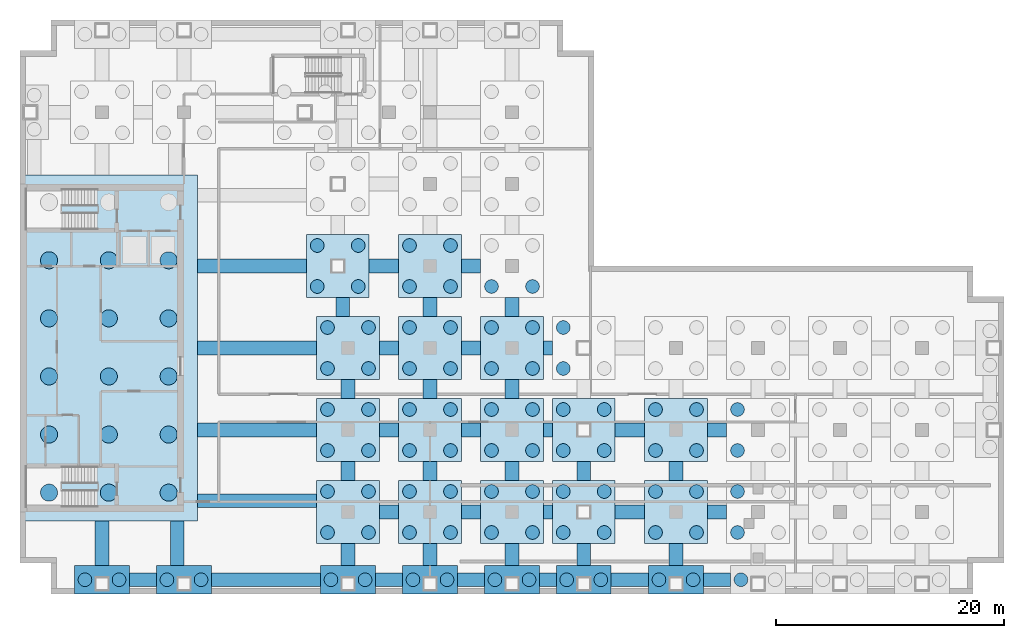
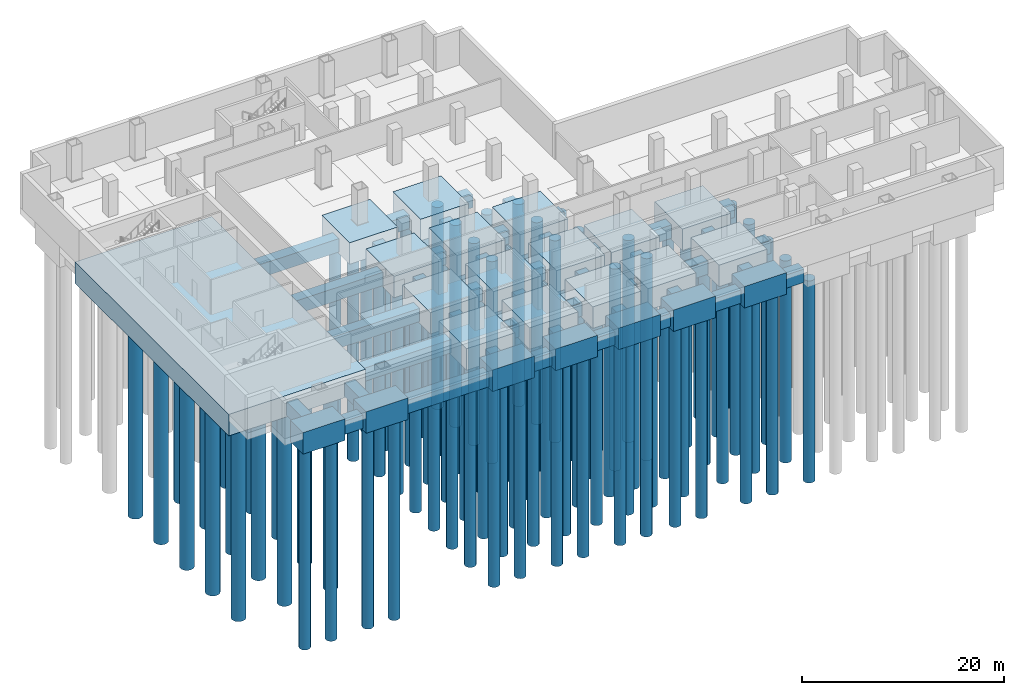
# One storey, part 1 of 11: 98 piles, 67 footings.
"""IFC4 building model written with IfcOpenShell, lengths in metres."""

from ifc_helpers import new_model, si_unit, direction, frame, origin, origin_2d, place, context, subcontext, project, spatial, rectangle, circle, extrude, material, material_profile, profile_set, type_object, element, save


model = new_model("IFC4")

# Units and contexts
model_context = context("Model", 3, precision=1e-05, world=origin(), true_north=direction((0.0, 1.0)))
body_context = subcontext(model_context, "Body", "Model", "MODEL_VIEW")
ifc_project = project(units=[si_unit("LENGTHUNIT", "METRE"), si_unit("AREAUNIT", "SQUARE_METRE"), si_unit("VOLUMEUNIT", "CUBIC_METRE"), si_unit("PLANEANGLEUNIT", "RADIAN"), si_unit("MASSUNIT", "GRAM", prefix="KILO")], contexts=[model_context])

# Site, building, storey
site_placement = place(None, origin())
site = spatial("IfcSite", under=ifc_project, at=site_placement, CompositionType="ELEMENT")
building_placement = place(site_placement, origin())
building = spatial("IfcBuilding", under=site, at=building_placement, Name="Cobrela Telecom Tower", CompositionType="ELEMENT")
storey_placement = place(building_placement, frame((0.0, 0.0, -9.10009765625)))
storey = spatial("IfcBuildingStorey", under=building, at=storey_placement, Name="B2", CompositionType="ELEMENT", Elevation=-9.10009765625)

# Footings
ifc_material = material(Name="Concrete C40/50", Category="concrete")
ifc_material_profile_1 = material_profile(ifc_material, rectangle(XDim=1.199951171875, YDim=1.60009765625, at=origin_2d()), Name="GB 1200x1600")
ifc_profile_set_1 = profile_set([ifc_material_profile_1], Name="Concrete C40/50")
footing_type_1 = type_object("IfcFootingType", Name="FTG-GB-1200", PredefinedType="FOOTING_BEAM", material=ifc_profile_set_1)
for number, where, z_axis, x_axis, name in (
    (1, (7.199951171875, 2.5, -1.599853515625), (0.0, 1.0, 0.0), (-1.0, 0.0, 0.0), "Foundation Tie Grade Beam GB-002"),
    (2, (13.800048828125, 2.5, -1.599853515625), (0.0, 1.0, 0.0), (-1.0, 0.0, 0.0), "Foundation Tie Grade Beam GB-004"),
):
    element("IfcFooting", number, at=place(storey_placement, frame(where, z_axis=z_axis, x_axis=x_axis)), inside=storey, type_object=footing_type_1, Name=name, PredefinedType="FOOTING_BEAM", context=body_context, shape_type="SweptSolid", body=[
        extrude(rectangle(XDim=1.199951171875, YDim=1.60009765625, at=origin_2d()), origin(), (0.0, 0.0, 1.0), 3.89990234375),
    ])
footing_1_placement = place(storey_placement, frame((15.60009765625, 28.800048828125, -1.599853515625), z_axis=(1.0, 0.0, 0.0), x_axis=(0.0, 1.0, 0.0)))
element("IfcFooting", 3, at=footing_1_placement, inside=storey, type_object=footing_type_1, Name="Foundation Tie Grade Beam GB-006", PredefinedType="FOOTING_BEAM", context=body_context, shape_type="SweptSolid", body=[
    extrude(rectangle(XDim=1.199951171875, YDim=1.60009765625, at=origin_2d()), origin(), (0.0, 0.0, 1.0), 9.5498046875),
])
for number, where, z_axis, x_axis, name in (
    (4, (15.60009765625, 8.175048828125, -1.599853515625), (1.0, 0.0, 0.0), (0.0, 1.0, 0.0), "Foundation Tie Grade Beam GB-008"),
    (5, (15.60009765625, 14.39990234375, -1.599853515625), (1.0, 0.0, 0.0), (0.0, 1.0, 0.0), "Foundation Tie Grade Beam GB-009"),
    (6, (15.60009765625, 21.60009765625, -1.599853515625), (1.0, 0.0, 0.0), (0.0, 1.0, 0.0), "Foundation Tie Grade Beam GB-010"),
):
    element("IfcFooting", number, at=place(storey_placement, frame(where, z_axis=z_axis, x_axis=x_axis)), inside=storey, type_object=footing_type_1, Name=name, PredefinedType="FOOTING_BEAM", context=body_context, shape_type="SweptSolid", body=[
        extrude(rectangle(XDim=1.199951171875, YDim=1.60009765625, at=origin_2d()), origin(), (0.0, 0.0, 1.0), 10.449951171875),
    ])
footing_2_placement = place(storey_placement, frame((9.60009765625, 1.25, -1.599853515625), z_axis=(1.0, 0.0, 0.0), x_axis=(0.0, 1.0, 0.0)))
element("IfcFooting", 7, at=footing_2_placement, inside=storey, type_object=footing_type_1, Name="Foundation Tie Grade Beam GB-012", PredefinedType="FOOTING_BEAM", context=body_context, shape_type="SweptSolid", body=[
    extrude(rectangle(XDim=1.199951171875, YDim=1.60009765625, at=origin_2d()), origin(), (0.0, 0.0, 1.0), 2.39990234375),
])
footing_3_placement = place(storey_placement, frame((16.800048828125, 1.25, -1.599853515625), z_axis=(1.0, 0.0, 0.0), x_axis=(0.0, 1.0, 0.0)))
element("IfcFooting", 8, at=footing_3_placement, inside=storey, type_object=footing_type_1, Name="Foundation Tie Grade Beam GB-016", PredefinedType="FOOTING_BEAM", context=body_context, shape_type="SweptSolid", body=[
    extrude(rectangle(XDim=1.199951171875, YDim=1.60009765625, at=origin_2d()), origin(), (0.0, 0.0, 1.0), 9.599853515625),
])
footing_4_placement = place(storey_placement, frame((28.35009765625, 24.35009765625, -1.599853515625), z_axis=(0.0, 1.0, 0.0), x_axis=(-1.0, 0.0, 0.0)))
element("IfcFooting", 9, at=footing_4_placement, inside=storey, type_object=footing_type_1, Name="Foundation Tie Grade Beam GB-023", PredefinedType="FOOTING_BEAM", context=body_context, shape_type="SweptSolid", body=[
    extrude(rectangle(XDim=1.199951171875, YDim=1.60009765625, at=origin_2d()), origin(), (0.0, 0.0, 1.0), 1.699951171875),
])
footing_5_placement = place(storey_placement, frame((30.64990234375, 28.800048828125, -1.599853515625), z_axis=(1.0, 0.0, 0.0), x_axis=(0.0, 1.0, 0.0)))
element("IfcFooting", 10, at=footing_5_placement, inside=storey, type_object=footing_type_1, Name="Foundation Tie Grade Beam GB-024", PredefinedType="FOOTING_BEAM", context=body_context, shape_type="SweptSolid", body=[
    extrude(rectangle(XDim=1.199951171875, YDim=1.60009765625, at=origin_2d()), origin(), (0.0, 0.0, 1.0), 2.60009765625),
])
footing_6_placement = place(storey_placement, frame((28.800048828125, 2.5, -1.599853515625), z_axis=(0.0, 1.0, 0.0), x_axis=(-1.0, 0.0, 0.0)))
element("IfcFooting", 11, at=footing_6_placement, inside=storey, type_object=footing_type_1, Name="Foundation Tie Grade Beam GB-027", PredefinedType="FOOTING_BEAM", context=body_context, shape_type="SweptSolid", body=[
    extrude(rectangle(XDim=1.199951171875, YDim=1.60009765625, at=origin_2d()), origin(), (0.0, 0.0, 1.0), 1.949951171875),
])
footing_7_placement = place(storey_placement, frame((31.199951171875, 1.25, -1.599853515625), z_axis=(1.0, 0.0, 0.0), x_axis=(0.0, 1.0, 0.0)))
element("IfcFooting", 12, at=footing_7_placement, inside=storey, type_object=footing_type_1, Name="Foundation Tie Grade Beam GB-028", PredefinedType="FOOTING_BEAM", context=body_context, shape_type="SweptSolid", body=[
    extrude(rectangle(XDim=1.199951171875, YDim=1.60009765625, at=origin_2d()), origin(), (0.0, 0.0, 1.0), 2.400146484375),
])
for number, where, z_axis, x_axis, name in (
    (13, (28.800048828125, 9.949951171875, -1.599853515625), (0.0, 1.0, 0.0), (-1.0, 0.0, 0.0), "Foundation Tie Grade Beam GB-029"),
    (14, (31.550048828125, 7.199951171875, -1.599853515625), (1.0, 0.0, 0.0), (0.0, 1.0, 0.0), "Foundation Tie Grade Beam GB-030"),
):
    element("IfcFooting", number, at=place(storey_placement, frame(where, z_axis=z_axis, x_axis=x_axis)), inside=storey, type_object=footing_type_1, Name=name, PredefinedType="FOOTING_BEAM", context=body_context, shape_type="SweptSolid", body=[
        extrude(rectangle(XDim=1.199951171875, YDim=1.60009765625, at=origin_2d()), origin(), (0.0, 0.0, 1.0), 1.699951171875),
    ])
footing_8_placement = place(storey_placement, frame((28.800048828125, 17.14990234375, -1.599853515625), z_axis=(0.0, 1.0, 0.0), x_axis=(-1.0, 0.0, 0.0)))
element("IfcFooting", 15, at=footing_8_placement, inside=storey, type_object=footing_type_1, Name="Foundation Tie Grade Beam GB-031", PredefinedType="FOOTING_BEAM", context=body_context, shape_type="SweptSolid", body=[
    extrude(rectangle(XDim=1.199951171875, YDim=1.60009765625, at=origin_2d()), origin(), (0.0, 0.0, 1.0), 1.7001953125),
])
for number, where, z_axis, x_axis, name in (
    (16, (31.550048828125, 14.39990234375, -1.599853515625), (1.0, 0.0, 0.0), (0.0, 1.0, 0.0), "Foundation Tie Grade Beam GB-032"),
    (17, (31.550048828125, 21.60009765625, -1.599853515625), (1.0, 0.0, 0.0), (0.0, 1.0, 0.0), "Foundation Tie Grade Beam GB-033"),
):
    element("IfcFooting", number, at=place(storey_placement, frame(where, z_axis=z_axis, x_axis=x_axis)), inside=storey, type_object=footing_type_1, Name=name, PredefinedType="FOOTING_BEAM", context=body_context, shape_type="SweptSolid", body=[
        extrude(rectangle(XDim=1.199951171875, YDim=1.60009765625, at=origin_2d()), origin(), (0.0, 0.0, 1.0), 1.699951171875),
    ])
footing_9_placement = place(storey_placement, frame((36.0, 2.5, -1.599853515625), z_axis=(0.0, 1.0, 0.0), x_axis=(-1.0, 0.0, 0.0)))
element("IfcFooting", 18, at=footing_9_placement, inside=storey, type_object=footing_type_1, Name="Foundation Tie Grade Beam GB-039", PredefinedType="FOOTING_BEAM", context=body_context, shape_type="SweptSolid", body=[
    extrude(rectangle(XDim=1.199951171875, YDim=1.60009765625, at=origin_2d()), origin(), (0.0, 0.0, 1.0), 1.949951171875),
])
footing_10_placement = place(storey_placement, frame((38.39990234375, 1.25, -1.599853515625), z_axis=(1.0, 0.0, 0.0), x_axis=(0.0, 1.0, 0.0)))
element("IfcFooting", 19, at=footing_10_placement, inside=storey, type_object=footing_type_1, Name="Foundation Tie Grade Beam GB-040", PredefinedType="FOOTING_BEAM", context=body_context, shape_type="SweptSolid", body=[
    extrude(rectangle(XDim=1.199951171875, YDim=1.60009765625, at=origin_2d()), origin(), (0.0, 0.0, 1.0), 2.400146484375),
])
for number, where, z_axis, x_axis, name in (
    (20, (36.0, 9.949951171875, -1.599853515625), (0.0, 1.0, 0.0), (-1.0, 0.0, 0.0), "Foundation Tie Grade Beam GB-041"),
    (21, (38.75, 7.199951171875, -1.599853515625), (1.0, 0.0, 0.0), (0.0, 1.0, 0.0), "Foundation Tie Grade Beam GB-042"),
):
    element("IfcFooting", number, at=place(storey_placement, frame(where, z_axis=z_axis, x_axis=x_axis)), inside=storey, type_object=footing_type_1, Name=name, PredefinedType="FOOTING_BEAM", context=body_context, shape_type="SweptSolid", body=[
        extrude(rectangle(XDim=1.199951171875, YDim=1.60009765625, at=origin_2d()), origin(), (0.0, 0.0, 1.0), 1.699951171875),
    ])
footing_11_placement = place(storey_placement, frame((36.0, 17.14990234375, -1.599853515625), z_axis=(0.0, 1.0, 0.0), x_axis=(-1.0, 0.0, 0.0)))
element("IfcFooting", 22, at=footing_11_placement, inside=storey, type_object=footing_type_1, Name="Foundation Tie Grade Beam GB-043", PredefinedType="FOOTING_BEAM", context=body_context, shape_type="SweptSolid", body=[
    extrude(rectangle(XDim=1.199951171875, YDim=1.60009765625, at=origin_2d()), origin(), (0.0, 0.0, 1.0), 1.7001953125),
])
for number, where, z_axis, x_axis, name in (
    (23, (38.75, 14.39990234375, -1.599853515625), (1.0, 0.0, 0.0), (0.0, 1.0, 0.0), "Foundation Tie Grade Beam GB-044"),
    (24, (36.0, 24.35009765625, -1.599853515625), (0.0, 1.0, 0.0), (-1.0, 0.0, 0.0), "Foundation Tie Grade Beam GB-045"),
    (25, (38.75, 21.60009765625, -1.599853515625), (1.0, 0.0, 0.0), (0.0, 1.0, 0.0), "Foundation Tie Grade Beam GB-046"),
    (26, (38.75, 28.800048828125, -1.599853515625), (1.0, 0.0, 0.0), (0.0, 1.0, 0.0), "Foundation Tie Grade Beam GB-048"),
):
    element("IfcFooting", number, at=place(storey_placement, frame(where, z_axis=z_axis, x_axis=x_axis)), inside=storey, type_object=footing_type_1, Name=name, PredefinedType="FOOTING_BEAM", context=body_context, shape_type="SweptSolid", body=[
        extrude(rectangle(XDim=1.199951171875, YDim=1.60009765625, at=origin_2d()), origin(), (0.0, 0.0, 1.0), 1.699951171875),
    ])
footing_12_placement = place(storey_placement, frame((43.199951171875, 2.5, -1.599853515625), z_axis=(0.0, 1.0, 0.0), x_axis=(-1.0, 0.0, 0.0)))
element("IfcFooting", 27, at=footing_12_placement, inside=storey, type_object=footing_type_1, Name="Foundation Tie Grade Beam GB-052", PredefinedType="FOOTING_BEAM", context=body_context, shape_type="SweptSolid", body=[
    extrude(rectangle(XDim=1.199951171875, YDim=1.60009765625, at=origin_2d()), origin(), (0.0, 0.0, 1.0), 1.949951171875),
])
footing_13_placement = place(storey_placement, frame((45.60009765625, 1.25, -1.599853515625), z_axis=(1.0, 0.0, 0.0), x_axis=(0.0, 1.0, 0.0)))
element("IfcFooting", 28, at=footing_13_placement, inside=storey, type_object=footing_type_1, Name="Foundation Tie Grade Beam GB-053", PredefinedType="FOOTING_BEAM", context=body_context, shape_type="SweptSolid", body=[
    extrude(rectangle(XDim=1.199951171875, YDim=1.60009765625, at=origin_2d()), origin(), (0.0, 0.0, 1.0), 1.5),
])
footing_14_placement = place(storey_placement, frame((43.199951171875, 9.949951171875, -1.599853515625), z_axis=(0.0, 1.0, 0.0), x_axis=(-1.0, 0.0, 0.0)))
element("IfcFooting", 29, at=footing_14_placement, inside=storey, type_object=footing_type_1, Name="Foundation Tie Grade Beam GB-054", PredefinedType="FOOTING_BEAM", context=body_context, shape_type="SweptSolid", body=[
    extrude(rectangle(XDim=1.199951171875, YDim=1.60009765625, at=origin_2d()), origin(), (0.0, 0.0, 1.0), 1.699951171875),
])
footing_15_placement = place(storey_placement, frame((45.949951171875, 7.199951171875, -1.599853515625), z_axis=(1.0, 0.0, 0.0), x_axis=(0.0, 1.0, 0.0)))
element("IfcFooting", 30, at=footing_15_placement, inside=storey, type_object=footing_type_1, Name="Foundation Tie Grade Beam GB-055", PredefinedType="FOOTING_BEAM", context=body_context, shape_type="SweptSolid", body=[
    extrude(rectangle(XDim=1.199951171875, YDim=1.60009765625, at=origin_2d()), origin(), (0.0, 0.0, 1.0), 0.800048828125),
])
footing_16_placement = place(storey_placement, frame((43.199951171875, 17.14990234375, -1.599853515625), z_axis=(0.0, 1.0, 0.0), x_axis=(-1.0, 0.0, 0.0)))
element("IfcFooting", 31, at=footing_16_placement, inside=storey, type_object=footing_type_1, Name="Foundation Tie Grade Beam GB-056", PredefinedType="FOOTING_BEAM", context=body_context, shape_type="SweptSolid", body=[
    extrude(rectangle(XDim=1.199951171875, YDim=1.60009765625, at=origin_2d()), origin(), (0.0, 0.0, 1.0), 1.7001953125),
])
footing_17_placement = place(storey_placement, frame((45.949951171875, 14.39990234375, -1.599853515625), z_axis=(1.0, 0.0, 0.0), x_axis=(0.0, 1.0, 0.0)))
element("IfcFooting", 32, at=footing_17_placement, inside=storey, type_object=footing_type_1, Name="Foundation Tie Grade Beam GB-057", PredefinedType="FOOTING_BEAM", context=body_context, shape_type="SweptSolid", body=[
    extrude(rectangle(XDim=1.199951171875, YDim=1.60009765625, at=origin_2d()), origin(), (0.0, 0.0, 1.0), 0.800048828125),
])
footing_18_placement = place(storey_placement, frame((43.199951171875, 24.35009765625, -1.599853515625), z_axis=(0.0, 1.0, 0.0), x_axis=(-1.0, 0.0, 0.0)))
element("IfcFooting", 33, at=footing_18_placement, inside=storey, type_object=footing_type_1, Name="Foundation Tie Grade Beam GB-058", PredefinedType="FOOTING_BEAM", context=body_context, shape_type="SweptSolid", body=[
    extrude(rectangle(XDim=1.199951171875, YDim=1.60009765625, at=origin_2d()), origin(), (0.0, 0.0, 1.0), 1.699951171875),
])
footing_19_placement = place(storey_placement, frame((45.949951171875, 21.60009765625, -1.599853515625), z_axis=(1.0, 0.0, 0.0), x_axis=(0.0, 1.0, 0.0)))
element("IfcFooting", 34, at=footing_19_placement, inside=storey, type_object=footing_type_1, Name="Foundation Tie Grade Beam GB-059", PredefinedType="FOOTING_BEAM", context=body_context, shape_type="SweptSolid", body=[
    extrude(rectangle(XDim=1.199951171875, YDim=1.60009765625, at=origin_2d()), origin(), (0.0, 0.0, 1.0), 0.800048828125),
])
footing_20_placement = place(storey_placement, frame((49.5, 2.5, -1.599853515625), z_axis=(0.0, 1.0, 0.0), x_axis=(-1.0, 0.0, 0.0)))
element("IfcFooting", 35, at=footing_20_placement, inside=storey, type_object=footing_type_1, Name="Foundation Tie Grade Beam GB-063", PredefinedType="FOOTING_BEAM", context=body_context, shape_type="SweptSolid", body=[
    extrude(rectangle(XDim=1.199951171875, YDim=1.60009765625, at=origin_2d()), origin(), (0.0, 0.0, 1.0), 1.949951171875),
])
footing_21_placement = place(storey_placement, frame((51.89990234375, 1.25, -1.599853515625), z_axis=(1.0, 0.0, 0.0), x_axis=(0.0, 1.0, 0.0)))
element("IfcFooting", 36, at=footing_21_placement, inside=storey, type_object=footing_type_1, Name="Foundation Tie Grade Beam GB-064", PredefinedType="FOOTING_BEAM", context=body_context, shape_type="SweptSolid", body=[
    extrude(rectangle(XDim=1.199951171875, YDim=1.60009765625, at=origin_2d()), origin(), (0.0, 0.0, 1.0), 3.300048828125),
])
footing_22_placement = place(storey_placement, frame((49.5, 9.949951171875, -1.599853515625), z_axis=(0.0, 1.0, 0.0), x_axis=(-1.0, 0.0, 0.0)))
element("IfcFooting", 37, at=footing_22_placement, inside=storey, type_object=footing_type_1, Name="Foundation Tie Grade Beam GB-065", PredefinedType="FOOTING_BEAM", context=body_context, shape_type="SweptSolid", body=[
    extrude(rectangle(XDim=1.199951171875, YDim=1.60009765625, at=origin_2d()), origin(), (0.0, 0.0, 1.0), 1.699951171875),
])
for number, where, z_axis, x_axis, name in (
    (38, (52.25, 7.199951171875, -1.599853515625), (1.0, 0.0, 0.0), (0.0, 1.0, 0.0), "Foundation Tie Grade Beam GB-066"),
    (39, (52.25, 14.39990234375, -1.599853515625), (1.0, 0.0, 0.0), (0.0, 1.0, 0.0), "Foundation Tie Grade Beam GB-068"),
):
    element("IfcFooting", number, at=place(storey_placement, frame(where, z_axis=z_axis, x_axis=x_axis)), inside=storey, type_object=footing_type_1, Name=name, PredefinedType="FOOTING_BEAM", context=body_context, shape_type="SweptSolid", body=[
        extrude(rectangle(XDim=1.199951171875, YDim=1.60009765625, at=origin_2d()), origin(), (0.0, 0.0, 1.0), 2.60009765625),
    ])
footing_23_placement = place(storey_placement, frame((57.60009765625, 2.5, -1.599853515625), z_axis=(0.0, 1.0, 0.0), x_axis=(-1.0, 0.0, 0.0)))
element("IfcFooting", 40, at=footing_23_placement, inside=storey, type_object=footing_type_1, Name="Foundation Tie Grade Beam GB-070", PredefinedType="FOOTING_BEAM", context=body_context, shape_type="SweptSolid", body=[
    extrude(rectangle(XDim=1.199951171875, YDim=1.60009765625, at=origin_2d()), origin(), (0.0, 0.0, 1.0), 1.949951171875),
])
footing_24_placement = place(storey_placement, frame((60.0, 1.25, -1.599853515625), z_axis=(1.0, 0.0, 0.0), x_axis=(0.0, 1.0, 0.0)))
element("IfcFooting", 41, at=footing_24_placement, inside=storey, type_object=footing_type_1, Name="Foundation Tie Grade Beam GB-071", PredefinedType="FOOTING_BEAM", context=body_context, shape_type="SweptSolid", body=[
    extrude(rectangle(XDim=1.199951171875, YDim=1.60009765625, at=origin_2d()), origin(), (0.0, 0.0, 1.0), 2.39990234375),
])
for number, where, z_axis, x_axis, name in (
    (42, (57.60009765625, 9.949951171875, -1.599853515625), (0.0, 1.0, 0.0), (-1.0, 0.0, 0.0), "Foundation Tie Grade Beam GB-072"),
    (43, (60.35009765625, 7.199951171875, -1.599853515625), (1.0, 0.0, 0.0), (0.0, 1.0, 0.0), "Foundation Tie Grade Beam GB-073"),
    (44, (60.35009765625, 14.39990234375, -1.599853515625), (1.0, 0.0, 0.0), (0.0, 1.0, 0.0), "Foundation Tie Grade Beam GB-075"),
):
    element("IfcFooting", number, at=place(storey_placement, frame(where, z_axis=z_axis, x_axis=x_axis)), inside=storey, type_object=footing_type_1, Name=name, PredefinedType="FOOTING_BEAM", context=body_context, shape_type="SweptSolid", body=[
        extrude(rectangle(XDim=1.199951171875, YDim=1.60009765625, at=origin_2d()), origin(), (0.0, 0.0, 1.0), 1.699951171875),
    ])
footing_type_2 = type_object("IfcFootingType", Name="FTG-PC-2P-EW", PredefinedType="PILE_CAP", material=ifc_material)
for number, where, z_axis, x_axis, name in (
    (45, (7.199951171875, 1.25, -2.599853515625), (0.0, 0.0, 1.0), (1.0, 0.0, 0.0), "Reinforced Concrete Pile Cap FTG-PC-02"),
    (46, (14.39990234375, 1.25, -2.599853515625), (0.0, 0.0, 1.0), (1.0, 0.0, 0.0), "Reinforced Concrete Pile Cap FTG-PC-05"),
    (47, (28.800048828125, 1.25, -2.599853515625), (0.0, 0.0, 1.0), (1.0, 0.0, 0.0), "Reinforced Concrete Pile Cap FTG-PC-11"),
    (48, (36.0, 1.25, -2.599853515625), (0.0, 0.0, 1.0), (1.0, 0.0, 0.0), "Reinforced Concrete Pile Cap FTG-PC-17"),
    (49, (43.199951171875, 1.25, -2.599853515625), (0.0, 0.0, 1.0), (1.0, 0.0, 0.0), "Reinforced Concrete Pile Cap FTG-PC-25"),
    (50, (49.5, 1.25, -2.599853515625), (0.0, 0.0, 1.0), (1.0, 0.0, 0.0), "Reinforced Concrete Pile Cap FTG-PC-33"),
    (51, (57.60009765625, 1.25, -2.599853515625), (0.0, 0.0, 1.0), (1.0, 0.0, 0.0), "Reinforced Concrete Pile Cap FTG-PC-37"),
):
    element("IfcFooting", number, at=place(storey_placement, frame(where, z_axis=z_axis, x_axis=x_axis)), inside=storey, type_object=footing_type_2, Name=name, PredefinedType="PILE_CAP", context=body_context, shape_type="SweptSolid", body=[
        extrude(rectangle(XDim=4.800048828125, YDim=2.5, at=origin_2d()), origin(), (0.0, 0.0, 1.0), 2.60009765625),
    ])
footing_type_3 = type_object("IfcFootingType", Name="FTG-PC-4P", PredefinedType="PILE_CAP", material=ifc_material)
for number, where, z_axis, x_axis, name in (
    (52, (27.89990234375, 28.800048828125, -2.599853515625), (0.0, 0.0, 1.0), (1.0, 0.0, 0.0), "Reinforced Concrete Pile Cap FTG-PC-09"),
    (53, (28.800048828125, 7.199951171875, -2.599853515625), (0.0, 0.0, 1.0), (1.0, 0.0, 0.0), "Reinforced Concrete Pile Cap FTG-PC-12"),
    (54, (28.800048828125, 14.39990234375, -2.599853515625), (0.0, 0.0, 1.0), (1.0, 0.0, 0.0), "Reinforced Concrete Pile Cap FTG-PC-13"),
    (55, (28.800048828125, 21.60009765625, -2.599853515625), (0.0, 0.0, 1.0), (1.0, 0.0, 0.0), "Reinforced Concrete Pile Cap FTG-PC-14"),
    (56, (36.0, 7.199951171875, -2.599853515625), (0.0, 0.0, 1.0), (1.0, 0.0, 0.0), "Reinforced Concrete Pile Cap FTG-PC-18"),
    (57, (36.0, 14.39990234375, -2.599853515625), (0.0, 0.0, 1.0), (1.0, 0.0, 0.0), "Reinforced Concrete Pile Cap FTG-PC-19"),
    (58, (36.0, 21.60009765625, -2.599853515625), (0.0, 0.0, 1.0), (1.0, 0.0, 0.0), "Reinforced Concrete Pile Cap FTG-PC-20"),
    (59, (36.0, 28.800048828125, -2.599853515625), (0.0, 0.0, 1.0), (1.0, 0.0, 0.0), "Reinforced Concrete Pile Cap FTG-PC-21"),
    (60, (43.199951171875, 7.199951171875, -2.599853515625), (0.0, 0.0, 1.0), (1.0, 0.0, 0.0), "Reinforced Concrete Pile Cap FTG-PC-26"),
    (61, (43.199951171875, 14.39990234375, -2.599853515625), (0.0, 0.0, 1.0), (1.0, 0.0, 0.0), "Reinforced Concrete Pile Cap FTG-PC-27"),
    (62, (43.199951171875, 21.60009765625, -2.599853515625), (0.0, 0.0, 1.0), (1.0, 0.0, 0.0), "Reinforced Concrete Pile Cap FTG-PC-28"),
    (63, (49.5, 7.199951171875, -2.599853515625), (0.0, 0.0, 1.0), (1.0, 0.0, 0.0), "Reinforced Concrete Pile Cap FTG-PC-34"),
    (64, (49.5, 14.39990234375, -2.599853515625), (0.0, 0.0, 1.0), (1.0, 0.0, 0.0), "Reinforced Concrete Pile Cap FTG-PC-35"),
    (65, (57.60009765625, 7.199951171875, -2.599853515625), (0.0, 0.0, 1.0), (1.0, 0.0, 0.0), "Reinforced Concrete Pile Cap FTG-PC-38"),
    (66, (57.60009765625, 14.39990234375, -2.599853515625), (0.0, 0.0, 1.0), (1.0, 0.0, 0.0), "Reinforced Concrete Pile Cap FTG-PC-39"),
):
    element("IfcFooting", number, at=place(storey_placement, frame(where, z_axis=z_axis, x_axis=x_axis)), inside=storey, type_object=footing_type_3, Name=name, PredefinedType="PILE_CAP", context=body_context, shape_type="SweptSolid", body=[
        extrude(rectangle(XDim=5.5, YDim=5.5, at=origin_2d()), origin(), (0.0, 0.0, 1.0), 2.60009765625),
    ])
footing_type_4 = type_object("IfcFootingType", Name="FTG-PC-CORE", PredefinedType="PILE_CAP", material=ifc_material)
footing_25_placement = place(storey_placement, frame((7.800048828125, 21.60009765625, -2.599853515625), z_axis=(0.0, 0.0, 1.0), x_axis=(1.0, 0.0, 0.0)))
element("IfcFooting", 67, at=footing_25_placement, inside=storey, type_object=footing_type_4, Name="West Core Combined Pile Cap PC-1", PredefinedType="PILE_CAP", context=body_context, shape_type="SweptSolid", body=[
    extrude(rectangle(XDim=15.60009765625, YDim=30.39990234375, at=origin_2d()), origin(), (0.0, 0.0, 1.0), 2.60009765625),
])

# Piles
ifc_material_profile_2 = material_profile(ifc_material, circle(Radius=0.60009765625, at=origin_2d()), Name="BORED PILE D1200")
ifc_profile_set_2 = profile_set([ifc_material_profile_2], Name="Concrete C40/50")
pile_type_1 = type_object("IfcPileType", Name="PILE-BORED-1200", PredefinedType="BORED", material=ifc_profile_set_2)
for number, where, z_axis, x_axis, name in (
    (68, (5.699951171875, 1.25, -2.5), (0.0, 0.0, -1.0), (1.0, 0.0, 0.0), "Bored Pile P2-021"),
    (69, (8.699951171875, 1.25, -2.5), (0.0, 0.0, -1.0), (1.0, 0.0, 0.0), "Bored Pile P2-022"),
    (70, (12.89990234375, 1.25, -2.5), (0.0, 0.0, -1.0), (1.0, 0.0, 0.0), "Bored Pile P2-029"),
    (71, (15.89990234375, 1.25, -2.5), (0.0, 0.0, -1.0), (1.0, 0.0, 0.0), "Bored Pile P2-030"),
    (72, (26.10009765625, 27.0, -2.5), (0.0, 0.0, -1.0), (1.0, 0.0, 0.0), "Bored Pile P2-041"),
    (73, (29.699951171875, 27.0, -2.5), (0.0, 0.0, -1.0), (1.0, 0.0, 0.0), "Bored Pile P2-042"),
    (74, (26.10009765625, 30.60009765625, -2.5), (0.0, 0.0, -1.0), (1.0, 0.0, 0.0), "Bored Pile P2-043"),
    (75, (29.699951171875, 30.60009765625, -2.5), (0.0, 0.0, -1.0), (1.0, 0.0, 0.0), "Bored Pile P2-044"),
    (76, (27.300048828125, 1.25, -2.5), (0.0, 0.0, -1.0), (1.0, 0.0, 0.0), "Bored Pile P2-049"),
    (77, (30.300048828125, 1.25, -2.5), (0.0, 0.0, -1.0), (1.0, 0.0, 0.0), "Bored Pile P2-050"),
    (78, (27.0, 5.39990234375, -2.5), (0.0, 0.0, -1.0), (1.0, 0.0, 0.0), "Bored Pile P2-051"),
    (79, (30.60009765625, 5.39990234375, -2.5), (0.0, 0.0, -1.0), (1.0, 0.0, 0.0), "Bored Pile P2-052"),
    (80, (27.0, 9.0, -2.5), (0.0, 0.0, -1.0), (1.0, 0.0, 0.0), "Bored Pile P2-053"),
    (81, (30.60009765625, 9.0, -2.5), (0.0, 0.0, -1.0), (1.0, 0.0, 0.0), "Bored Pile P2-054"),
    (82, (27.0, 12.60009765625, -2.5), (0.0, 0.0, -1.0), (1.0, 0.0, 0.0), "Bored Pile P2-055"),
    (83, (30.60009765625, 12.60009765625, -2.5), (0.0, 0.0, -1.0), (1.0, 0.0, 0.0), "Bored Pile P2-056"),
    (84, (27.0, 16.199951171875, -2.5), (0.0, 0.0, -1.0), (1.0, 0.0, 0.0), "Bored Pile P2-057"),
    (85, (30.60009765625, 16.199951171875, -2.5), (0.0, 0.0, -1.0), (1.0, 0.0, 0.0), "Bored Pile P2-058"),
    (86, (27.0, 19.800048828125, -2.5), (0.0, 0.0, -1.0), (1.0, 0.0, 0.0), "Bored Pile P2-059"),
    (87, (30.60009765625, 19.800048828125, -2.5), (0.0, 0.0, -1.0), (1.0, 0.0, 0.0), "Bored Pile P2-060"),
    (88, (27.0, 23.39990234375, -2.5), (0.0, 0.0, -1.0), (1.0, 0.0, 0.0), "Bored Pile P2-061"),
    (89, (30.60009765625, 23.39990234375, -2.5), (0.0, 0.0, -1.0), (1.0, 0.0, 0.0), "Bored Pile P2-062"),
    (90, (34.5, 1.25, -2.5), (0.0, 0.0, -1.0), (1.0, 0.0, 0.0), "Bored Pile P2-069"),
    (91, (37.5, 1.25, -2.5), (0.0, 0.0, -1.0), (1.0, 0.0, 0.0), "Bored Pile P2-070"),
    (92, (34.199951171875, 5.39990234375, -2.5), (0.0, 0.0, -1.0), (1.0, 0.0, 0.0), "Bored Pile P2-071"),
    (93, (37.800048828125, 5.39990234375, -2.5), (0.0, 0.0, -1.0), (1.0, 0.0, 0.0), "Bored Pile P2-072"),
    (94, (34.199951171875, 9.0, -2.5), (0.0, 0.0, -1.0), (1.0, 0.0, 0.0), "Bored Pile P2-073"),
    (95, (37.800048828125, 9.0, -2.5), (0.0, 0.0, -1.0), (1.0, 0.0, 0.0), "Bored Pile P2-074"),
    (96, (34.199951171875, 12.60009765625, -2.5), (0.0, 0.0, -1.0), (1.0, 0.0, 0.0), "Bored Pile P2-075"),
    (97, (37.800048828125, 12.60009765625, -2.5), (0.0, 0.0, -1.0), (1.0, 0.0, 0.0), "Bored Pile P2-076"),
    (98, (34.199951171875, 16.199951171875, -2.5), (0.0, 0.0, -1.0), (1.0, 0.0, 0.0), "Bored Pile P2-077"),
    (99, (37.800048828125, 16.199951171875, -2.5), (0.0, 0.0, -1.0), (1.0, 0.0, 0.0), "Bored Pile P2-078"),
    (100, (34.199951171875, 19.800048828125, -2.5), (0.0, 0.0, -1.0), (1.0, 0.0, 0.0), "Bored Pile P2-079"),
    (101, (37.800048828125, 19.800048828125, -2.5), (0.0, 0.0, -1.0), (1.0, 0.0, 0.0), "Bored Pile P2-080"),
    (102, (34.199951171875, 23.39990234375, -2.5), (0.0, 0.0, -1.0), (1.0, 0.0, 0.0), "Bored Pile P2-081"),
    (103, (37.800048828125, 23.39990234375, -2.5), (0.0, 0.0, -1.0), (1.0, 0.0, 0.0), "Bored Pile P2-082"),
    (104, (34.199951171875, 27.0, -2.5), (0.0, 0.0, -1.0), (1.0, 0.0, 0.0), "Bored Pile P2-083"),
    (105, (37.800048828125, 27.0, -2.5), (0.0, 0.0, -1.0), (1.0, 0.0, 0.0), "Bored Pile P2-084"),
    (106, (34.199951171875, 30.60009765625, -2.5), (0.0, 0.0, -1.0), (1.0, 0.0, 0.0), "Bored Pile P2-085"),
    (107, (37.800048828125, 30.60009765625, -2.5), (0.0, 0.0, -1.0), (1.0, 0.0, 0.0), "Bored Pile P2-086"),
    (108, (41.699951171875, 1.25, -2.5), (0.0, 0.0, -1.0), (1.0, 0.0, 0.0), "Bored Pile P2-093"),
    (109, (44.699951171875, 1.25, -2.5), (0.0, 0.0, -1.0), (1.0, 0.0, 0.0), "Bored Pile P2-094"),
    (110, (41.39990234375, 5.39990234375, -2.5), (0.0, 0.0, -1.0), (1.0, 0.0, 0.0), "Bored Pile P2-095"),
    (111, (45.0, 5.39990234375, -2.5), (0.0, 0.0, -1.0), (1.0, 0.0, 0.0), "Bored Pile P2-096"),
    (112, (41.39990234375, 9.0, -2.5), (0.0, 0.0, -1.0), (1.0, 0.0, 0.0), "Bored Pile P2-097"),
    (113, (45.0, 9.0, -2.5), (0.0, 0.0, -1.0), (1.0, 0.0, 0.0), "Bored Pile P2-098"),
    (114, (41.39990234375, 12.60009765625, -2.5), (0.0, 0.0, -1.0), (1.0, 0.0, 0.0), "Bored Pile P2-099"),
    (115, (45.0, 12.60009765625, -2.5), (0.0, 0.0, -1.0), (1.0, 0.0, 0.0), "Bored Pile P2-100"),
    (116, (41.39990234375, 16.199951171875, -2.5), (0.0, 0.0, -1.0), (1.0, 0.0, 0.0), "Bored Pile P2-101"),
    (117, (45.0, 16.199951171875, -2.5), (0.0, 0.0, -1.0), (1.0, 0.0, 0.0), "Bored Pile P2-102"),
    (118, (41.39990234375, 19.800048828125, -2.5), (0.0, 0.0, -1.0), (1.0, 0.0, 0.0), "Bored Pile P2-103"),
    (119, (45.0, 19.800048828125, -2.5), (0.0, 0.0, -1.0), (1.0, 0.0, 0.0), "Bored Pile P2-104"),
    (120, (41.39990234375, 23.39990234375, -2.5), (0.0, 0.0, -1.0), (1.0, 0.0, 0.0), "Bored Pile P2-105"),
    (121, (45.0, 23.39990234375, -2.5), (0.0, 0.0, -1.0), (1.0, 0.0, 0.0), "Bored Pile P2-106"),
    (122, (41.39990234375, 27.0, -2.5), (0.0, 0.0, -1.0), (1.0, 0.0, 0.0), "Bored Pile P2-107"),
    (123, (45.0, 27.0, -2.5), (0.0, 0.0, -1.0), (1.0, 0.0, 0.0), "Bored Pile P2-108"),
    (124, (48.0, 1.25, -2.5), (0.0, 0.0, -1.0), (1.0, 0.0, 0.0), "Bored Pile P2-121"),
    (125, (51.0, 1.25, -2.5), (0.0, 0.0, -1.0), (1.0, 0.0, 0.0), "Bored Pile P2-122"),
    (126, (47.699951171875, 5.39990234375, -2.5), (0.0, 0.0, -1.0), (1.0, 0.0, 0.0), "Bored Pile P2-123"),
    (127, (51.300048828125, 5.39990234375, -2.5), (0.0, 0.0, -1.0), (1.0, 0.0, 0.0), "Bored Pile P2-124"),
    (128, (47.699951171875, 9.0, -2.5), (0.0, 0.0, -1.0), (1.0, 0.0, 0.0), "Bored Pile P2-125"),
    (129, (51.300048828125, 9.0, -2.5), (0.0, 0.0, -1.0), (1.0, 0.0, 0.0), "Bored Pile P2-126"),
    (130, (47.699951171875, 12.60009765625, -2.5), (0.0, 0.0, -1.0), (1.0, 0.0, 0.0), "Bored Pile P2-127"),
    (131, (51.300048828125, 12.60009765625, -2.5), (0.0, 0.0, -1.0), (1.0, 0.0, 0.0), "Bored Pile P2-128"),
    (132, (47.699951171875, 16.199951171875, -2.5), (0.0, 0.0, -1.0), (1.0, 0.0, 0.0), "Bored Pile P2-129"),
    (133, (51.300048828125, 16.199951171875, -2.5), (0.0, 0.0, -1.0), (1.0, 0.0, 0.0), "Bored Pile P2-130"),
    (134, (47.699951171875, 19.800048828125, -2.5), (0.0, 0.0, -1.0), (1.0, 0.0, 0.0), "Bored Pile P2-131"),
    (135, (47.699951171875, 23.39990234375, -2.5), (0.0, 0.0, -1.0), (1.0, 0.0, 0.0), "Bored Pile P2-133"),
    (136, (56.10009765625, 1.25, -2.5), (0.0, 0.0, -1.0), (1.0, 0.0, 0.0), "Bored Pile P2-135"),
    (137, (59.10009765625, 1.25, -2.5), (0.0, 0.0, -1.0), (1.0, 0.0, 0.0), "Bored Pile P2-136"),
    (138, (55.800048828125, 5.39990234375, -2.5), (0.0, 0.0, -1.0), (1.0, 0.0, 0.0), "Bored Pile P2-137"),
    (139, (59.39990234375, 5.39990234375, -2.5), (0.0, 0.0, -1.0), (1.0, 0.0, 0.0), "Bored Pile P2-138"),
    (140, (55.800048828125, 9.0, -2.5), (0.0, 0.0, -1.0), (1.0, 0.0, 0.0), "Bored Pile P2-139"),
    (141, (59.39990234375, 9.0, -2.5), (0.0, 0.0, -1.0), (1.0, 0.0, 0.0), "Bored Pile P2-140"),
    (142, (55.800048828125, 12.60009765625, -2.5), (0.0, 0.0, -1.0), (1.0, 0.0, 0.0), "Bored Pile P2-141"),
    (143, (59.39990234375, 12.60009765625, -2.5), (0.0, 0.0, -1.0), (1.0, 0.0, 0.0), "Bored Pile P2-142"),
    (144, (55.800048828125, 16.199951171875, -2.5), (0.0, 0.0, -1.0), (1.0, 0.0, 0.0), "Bored Pile P2-143"),
    (145, (59.39990234375, 16.199951171875, -2.5), (0.0, 0.0, -1.0), (1.0, 0.0, 0.0), "Bored Pile P2-144"),
    (146, (63.300048828125, 1.25, -2.5), (0.0, 0.0, -1.0), (1.0, 0.0, 0.0), "Bored Pile P2-149"),
    (147, (63.0, 5.39990234375, -2.5), (0.0, 0.0, -1.0), (1.0, 0.0, 0.0), "Bored Pile P2-151"),
    (148, (63.0, 9.0, -2.5), (0.0, 0.0, -1.0), (1.0, 0.0, 0.0), "Bored Pile P2-153"),
    (149, (63.0, 12.60009765625, -2.5), (0.0, 0.0, -1.0), (1.0, 0.0, 0.0), "Bored Pile P2-155"),
    (150, (63.0, 16.199951171875, -2.5), (0.0, 0.0, -1.0), (1.0, 0.0, 0.0), "Bored Pile P2-157"),
):
    element("IfcPile", number, at=place(storey_placement, frame(where, z_axis=z_axis, x_axis=x_axis)), inside=storey, type_object=pile_type_1, Name=name, PredefinedType="BORED", context=body_context, shape_type="SweptSolid", body=[
        extrude(circle(Radius=0.60009765625, at=origin_2d()), origin(), (0.0, 0.0, 1.0), 24.39990234375),
    ])
ifc_material_profile_3 = material_profile(ifc_material, circle(Radius=0.75, at=origin_2d()), Name="BORED PILE D1500")
ifc_profile_set_3 = profile_set([ifc_material_profile_3], Name="Concrete C40/50")
pile_type_2 = type_object("IfcPileType", Name="PILE-BORED-1500", PredefinedType="BORED", material=ifc_profile_set_3)
for number, where, z_axis, x_axis, name in (
    (151, (2.550048828125, 8.89990234375, -2.5), (0.0, 0.0, -1.0), (1.0, 0.0, 0.0), "Core Bored Pile P1-01"),
    (152, (2.550048828125, 14.0, -2.5), (0.0, 0.0, -1.0), (1.0, 0.0, 0.0), "Core Bored Pile P1-02"),
    (153, (2.550048828125, 19.10009765625, -2.5), (0.0, 0.0, -1.0), (1.0, 0.0, 0.0), "Core Bored Pile P1-03"),
    (154, (2.550048828125, 24.199951171875, -2.5), (0.0, 0.0, -1.0), (1.0, 0.0, 0.0), "Core Bored Pile P1-04"),
    (155, (2.550048828125, 29.300048828125, -2.5), (0.0, 0.0, -1.0), (1.0, 0.0, 0.0), "Core Bored Pile P1-05"),
    (156, (7.800048828125, 8.89990234375, -2.5), (0.0, 0.0, -1.0), (1.0, 0.0, 0.0), "Core Bored Pile P1-07"),
    (157, (7.800048828125, 14.0, -2.5), (0.0, 0.0, -1.0), (1.0, 0.0, 0.0), "Core Bored Pile P1-08"),
    (158, (7.800048828125, 19.10009765625, -2.5), (0.0, 0.0, -1.0), (1.0, 0.0, 0.0), "Core Bored Pile P1-09"),
    (159, (7.800048828125, 24.199951171875, -2.5), (0.0, 0.0, -1.0), (1.0, 0.0, 0.0), "Core Bored Pile P1-10"),
    (160, (7.800048828125, 29.300048828125, -2.5), (0.0, 0.0, -1.0), (1.0, 0.0, 0.0), "Core Bored Pile P1-11"),
    (161, (13.050048828125, 8.89990234375, -2.5), (0.0, 0.0, -1.0), (1.0, 0.0, 0.0), "Core Bored Pile P1-13"),
    (162, (13.050048828125, 14.0, -2.5), (0.0, 0.0, -1.0), (1.0, 0.0, 0.0), "Core Bored Pile P1-14"),
    (163, (13.050048828125, 19.10009765625, -2.5), (0.0, 0.0, -1.0), (1.0, 0.0, 0.0), "Core Bored Pile P1-15"),
    (164, (13.050048828125, 24.199951171875, -2.5), (0.0, 0.0, -1.0), (1.0, 0.0, 0.0), "Core Bored Pile P1-16"),
    (165, (13.050048828125, 29.300048828125, -2.5), (0.0, 0.0, -1.0), (1.0, 0.0, 0.0), "Core Bored Pile P1-17"),
):
    element("IfcPile", number, at=place(storey_placement, frame(where, z_axis=z_axis, x_axis=x_axis)), inside=storey, type_object=pile_type_2, Name=name, PredefinedType="BORED", context=body_context, shape_type="SweptSolid", body=[
        extrude(circle(Radius=0.75, at=origin_2d()), origin(), (0.0, 0.0, 1.0), 24.39990234375),
    ])

save(model, "model.ifc")
